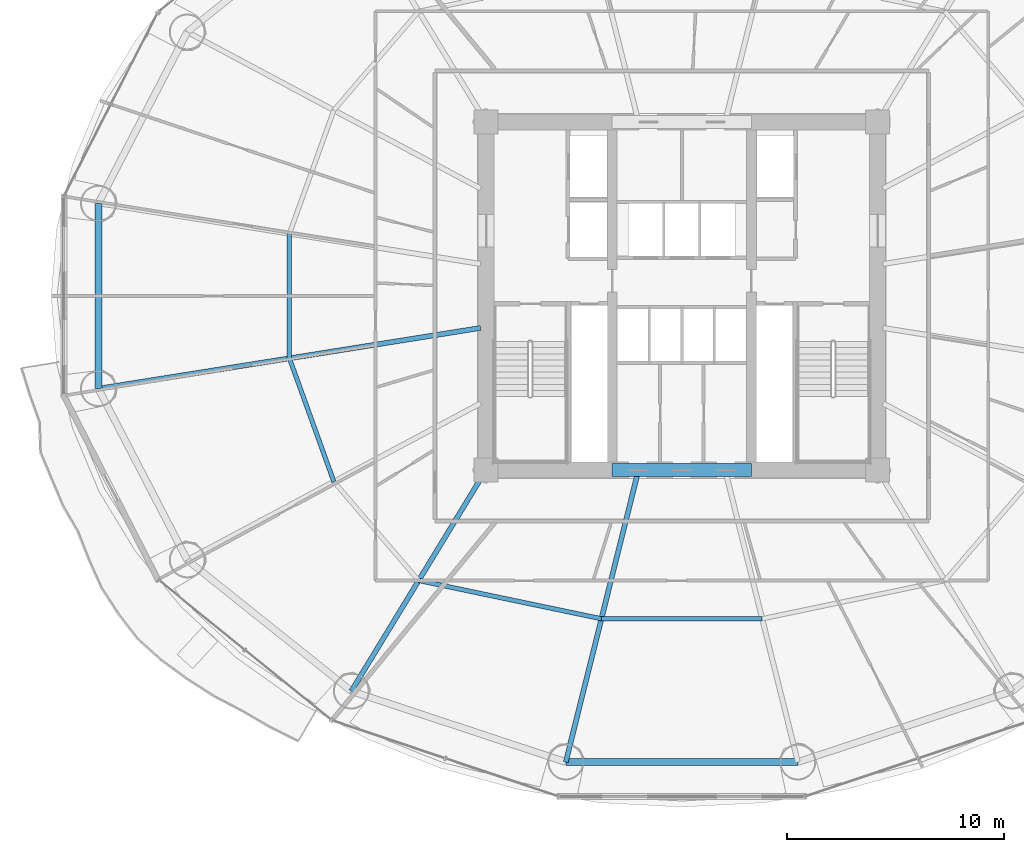
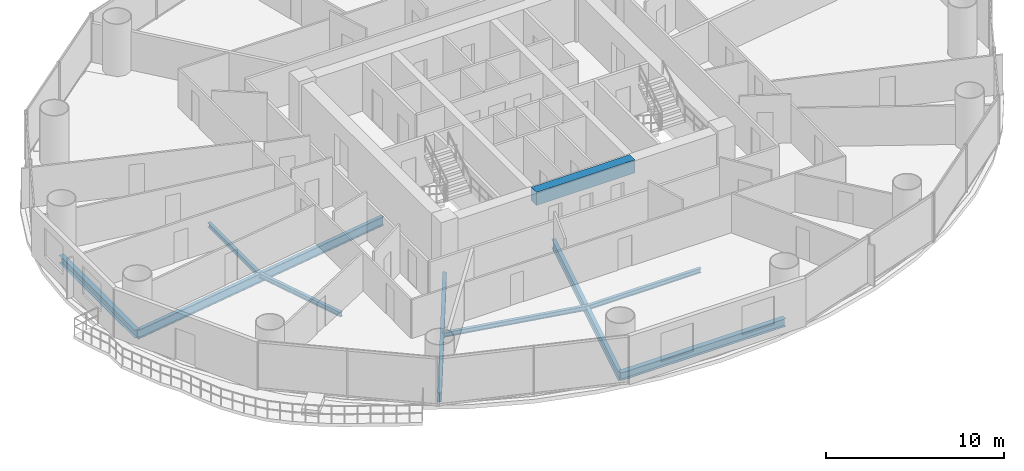
# One storey, part 5 of 28: 10 beams.
"""IFC4 building model written with IfcOpenShell, lengths in metres."""

from ifc_helpers import new_model, si_unit, direction, frame, origin, origin_2d, place, context, subcontext, project, spatial, rectangle, i_section, extrude, material, material_profile, profile_set, type_object, element, save


model = new_model("IFC4")

# Units and contexts
model_context = context("Model", 3, precision=1e-05, world=origin(), true_north=direction((-0.2419218956, 0.970295726276)))
body_context = subcontext(model_context, "Body", "Model", "MODEL_VIEW")
ifc_project = project(units=[si_unit("LENGTHUNIT", "METRE"), si_unit("AREAUNIT", "SQUARE_METRE"), si_unit("VOLUMEUNIT", "CUBIC_METRE"), si_unit("PLANEANGLEUNIT", "RADIAN"), si_unit("MASSUNIT", "GRAM", prefix="KILO")], contexts=[model_context])

# Site, building, storey
site_placement = place(None, origin())
site = spatial("IfcSite", under=ifc_project, at=site_placement, CompositionType="ELEMENT")
building_placement = place(site_placement, origin())
building = spatial("IfcBuilding", under=site, at=building_placement, Name="Cobrevalo Terracotta Tower", CompositionType="ELEMENT")
storey_placement = place(building_placement, frame((0.0, 0.0, 34.800048828125)))
storey = spatial("IfcBuildingStorey", under=building, at=storey_placement, Name="L08", CompositionType="ELEMENT", Elevation=34.800048828125)

# Beams
ifc_material_1 = material(Name="Concrete C60", Category="concrete")
ifc_material_profile_1 = material_profile(ifc_material_1, rectangle(XDim=0.60009765625, YDim=0.89990234375, at=origin_2d()), Name="RC CB 600x900")
ifc_profile_set_1 = profile_set([ifc_material_profile_1], Name="Concrete C60")
beam_type_1 = type_object("IfcBeamType", Name="Structural Beam RC CB 600x900 (Concrete C60)", PredefinedType="BEAM", material=ifc_profile_set_1)
beam_1_placement = place(storey_placement, frame((34.800048828125, 18.800048828125, 2.869873046875), z_axis=(1.0, 0.0, 0.0), x_axis=(0.0, 1.0, 0.0)))
element("IfcBeam", 1, at=beam_1_placement, inside=storey, type_object=beam_type_1, Name="L08 core coupling beam 1", PredefinedType="BEAM", context=body_context, shape_type="SweptSolid", body=[
    extrude(rectangle(XDim=0.60009765625, YDim=0.89990234375, at=origin_2d()), origin(), (0.0, 0.0, 1.0), 6.39990234375),
])
ifc_material_2 = material(Name="Steel S355", Category="steel")
ifc_material_profile_2 = material_profile(ifc_material_2, i_section(OverallWidth=0.22998046875, OverallDepth=0.616943359375, WebThickness=0.01318359375, FlangeThickness=0.022216796875, at=origin_2d()), Name="W 610x140")
ifc_profile_set_2 = profile_set([ifc_material_profile_2], Name="Steel S355")
beam_type_2 = type_object("IfcBeamType", Name="Structural Beam W 610x140 (Steel S355)", PredefinedType="BEAM", material=ifc_profile_set_2)
beam_2_placement = place(storey_placement, frame((11.175537109375, 22.537353515625, -0.588623046875), z_axis=(0.987607924622, 0.156941349628, 0.0), x_axis=(-0.156941349628, 0.987607924622, 0.0)))
element("IfcBeam", 2, at=beam_2_placement, inside=storey, type_object=beam_type_2, Name="L08 radial floor girder 09", PredefinedType="BEAM", context=body_context, shape_type="SweptSolid", body=[
    extrude(i_section(OverallWidth=0.22998046875, OverallDepth=0.616943359375, WebThickness=0.01318359375, FlangeThickness=0.022216796875, at=origin_2d()), origin(), (0.0, 0.0, 1.0), 17.7900390625),
])
beam_3_placement = place(storey_placement, frame((22.80517578125, 8.63232421875, -0.588623046875), z_axis=(0.520300780853, 0.853983077961, 0.0), x_axis=(-0.853983077961, 0.520300780853, 0.0)))
element("IfcBeam", 3, at=beam_3_placement, inside=storey, type_object=beam_type_2, Name="L08 radial floor girder 11", PredefinedType="BEAM", context=body_context, shape_type="SweptSolid", body=[
    extrude(i_section(OverallWidth=0.22998046875, OverallDepth=0.616943359375, WebThickness=0.01318359375, FlangeThickness=0.022216796875, at=origin_2d()), origin(), (0.0, 0.0, 1.0), 11.90625),
])
beam_4_placement = place(storey_placement, frame((32.664306640625, 5.369873046875, -0.588623046875), z_axis=(0.241600470374, 0.970375810042, 0.0), x_axis=(-0.970375810042, 0.241600470374, 0.0)))
element("IfcBeam", 4, at=beam_4_placement, inside=storey, type_object=beam_type_2, Name="L08 radial floor girder 12", PredefinedType="BEAM", context=body_context, shape_type="SweptSolid", body=[
    extrude(i_section(OverallWidth=0.22998046875, OverallDepth=0.616943359375, WebThickness=0.01318359375, FlangeThickness=0.022216796875, at=origin_2d()), origin(), (0.0, 0.0, 1.0), 13.5771484375),
])
ifc_material_profile_3 = material_profile(ifc_material_2, i_section(OverallWidth=0.2041015625, OverallDepth=0.305908203125, WebThickness=0.008544921875, FlangeThickness=0.0146484375, at=origin_2d()), Name="W 310x67")
ifc_profile_set_3 = profile_set([ifc_material_profile_3], Name="Steel S355")
beam_type_3 = type_object("IfcBeamType", Name="Structural Joist W 310x67 (Steel S355)", PredefinedType="JOIST", material=ifc_profile_set_3)
beam_5_placement = place(storey_placement, frame((19.960205078125, 29.666748046875, -0.43310546875), z_axis=(0.0, -1.0, 0.0), x_axis=(1.0, 0.0, 0.0)))
element("IfcBeam", 5, at=beam_5_placement, inside=storey, type_object=beam_type_3, Name="L08 circumferential secondary floor joist 08", PredefinedType="JOIST", context=body_context, shape_type="SweptSolid", body=[
    extrude(i_section(OverallWidth=0.2041015625, OverallDepth=0.305908203125, WebThickness=0.008544921875, FlangeThickness=0.0146484375, at=origin_2d()), origin(), (0.0, 0.0, 1.0), 5.7333984375),
])
beam_6_placement = place(storey_placement, frame((19.960205078125, 23.933349609375, -0.43310546875), z_axis=(0.338672151116, -0.940904444701, 0.0), x_axis=(0.940904444701, 0.338672151116, 0.0)))
element("IfcBeam", 6, at=beam_6_placement, inside=storey, type_object=beam_type_3, Name="L08 circumferential secondary floor joist 09", PredefinedType="JOIST", context=body_context, shape_type="SweptSolid", body=[
    extrude(i_section(OverallWidth=0.2041015625, OverallDepth=0.305908203125, WebThickness=0.008544921875, FlangeThickness=0.0146484375, at=origin_2d()), origin(), (0.0, 0.0, 1.0), 6.029296875),
])
beam_7_placement = place(storey_placement, frame((25.902587890625, 13.71630859375, -0.43310546875), z_axis=(0.978784523904, -0.204892302848, 0.0), x_axis=(0.204892302848, 0.978784523904, 0.0)))
element("IfcBeam", 7, at=beam_7_placement, inside=storey, type_object=beam_type_3, Name="L08 circumferential secondary floor joist 11", PredefinedType="JOIST", context=body_context, shape_type="SweptSolid", body=[
    extrude(i_section(OverallWidth=0.2041015625, OverallDepth=0.305908203125, WebThickness=0.008544921875, FlangeThickness=0.0146484375, at=origin_2d()), origin(), (0.0, 0.0, 1.0), 8.583984375),
])
beam_8_placement = place(storey_placement, frame((34.304443359375, 11.95751953125, -0.43310546875), z_axis=(1.0, 0.0, 0.0), x_axis=(0.0, 1.0, 0.0)))
element("IfcBeam", 8, at=beam_8_placement, inside=storey, type_object=beam_type_3, Name="L08 circumferential secondary floor joist 12", PredefinedType="JOIST", context=body_context, shape_type="SweptSolid", body=[
    extrude(i_section(OverallWidth=0.2041015625, OverallDepth=0.305908203125, WebThickness=0.008544921875, FlangeThickness=0.0146484375, at=origin_2d()), origin(), (0.0, 0.0, 1.0), 7.39111328125),
])
ifc_material_profile_4 = material_profile(ifc_material_2, i_section(OverallWidth=0.31201171875, OverallDepth=0.54296875, WebThickness=0.0126953125, FlangeThickness=0.020263671875, at=origin_2d()), Name="W 530x150")
ifc_profile_set_4 = profile_set([ifc_material_profile_4], Name="Steel S355")
beam_type_4 = type_object("IfcBeamType", Name="Structural Spandrel W 530x150 (Steel S355)", PredefinedType="SPANDREL", material=ifc_profile_set_4)
beam_9_placement = place(storey_placement, frame((11.175537109375, 31.062744140625, -0.551513671875), z_axis=(0.0, -1.0, 0.0), x_axis=(1.0, 0.0, 0.0)))
element("IfcBeam", 9, at=beam_9_placement, inside=storey, type_object=beam_type_4, Name="L08 perimeter ring spandrel 08", PredefinedType="SPANDREL", context=body_context, shape_type="SweptSolid", body=[
    extrude(i_section(OverallWidth=0.31201171875, OverallDepth=0.54296875, WebThickness=0.0126953125, FlangeThickness=0.020263671875, at=origin_2d()), origin(), (0.0, 0.0, 1.0), 8.525390625),
])
beam_10_placement = place(storey_placement, frame((32.664306640625, 5.369873046875, -0.551513671875), z_axis=(1.0, 0.0, 0.0), x_axis=(0.0, 1.0, 0.0)))
element("IfcBeam", 10, at=beam_10_placement, inside=storey, type_object=beam_type_4, Name="L08 perimeter ring spandrel 12", PredefinedType="SPANDREL", context=body_context, shape_type="SweptSolid", body=[
    extrude(i_section(OverallWidth=0.31201171875, OverallDepth=0.54296875, WebThickness=0.0126953125, FlangeThickness=0.020263671875, at=origin_2d()), origin(), (0.0, 0.0, 1.0), 10.67138671875),
])

save(model, "model.ifc")
